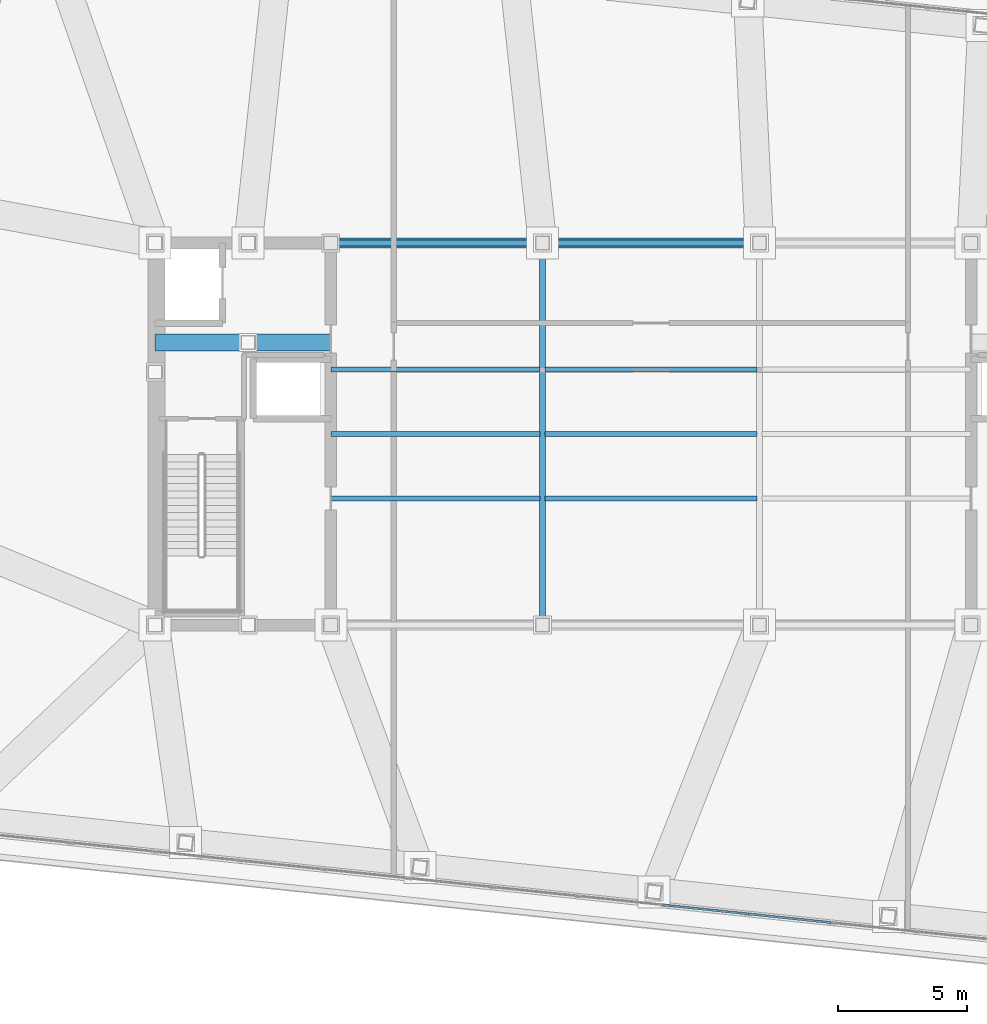
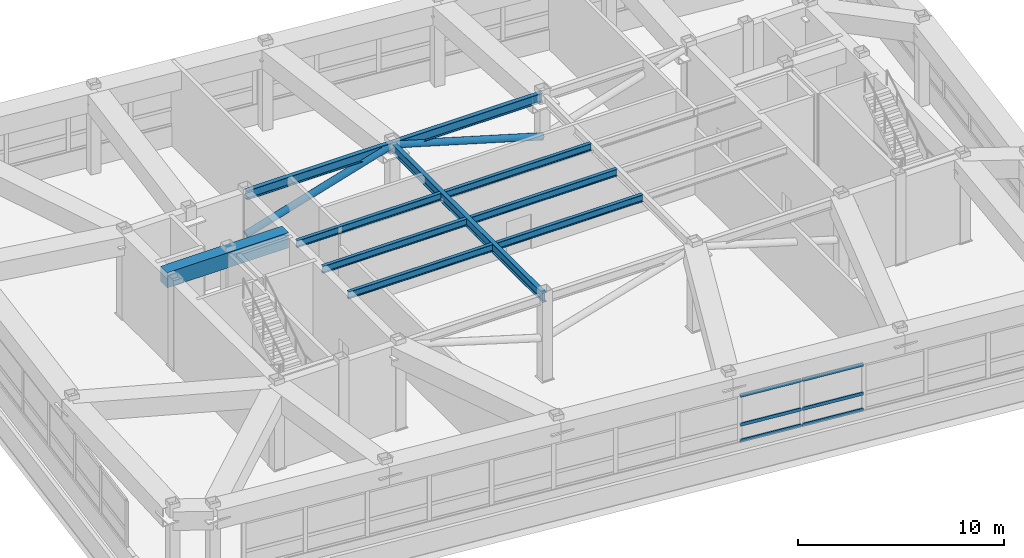
# One storey, part 6 of 22: 10 beams, 8 members, 1 element without a shape of its own.
"""IFC4 building model written with IfcOpenShell, lengths in metres."""

from ifc_helpers import new_model, si_unit, direction, frame, origin, origin_2d, place, context, subcontext, project, spatial, rectangle, hollow_rectangle, hollow_circle, i_section, extrude, material, layer, layer_set, material_profile, profile_set, type_object, element, aggregate, save


model = new_model("IFC4")

# Units and contexts
model_context = context("Model", 3, precision=1e-05, world=origin(), true_north=direction((0.0, 1.0)))
body_context = subcontext(model_context, "Body", "Model", "MODEL_VIEW")
ifc_project = project(units=[si_unit("LENGTHUNIT", "METRE"), si_unit("AREAUNIT", "SQUARE_METRE"), si_unit("VOLUMEUNIT", "CUBIC_METRE"), si_unit("PLANEANGLEUNIT", "RADIAN"), si_unit("MASSUNIT", "GRAM", prefix="KILO")], contexts=[model_context])

# Site, building, storey
site_placement = place(None, origin())
site = spatial("IfcSite", under=ifc_project, at=site_placement, CompositionType="ELEMENT")
building_placement = place(site_placement, origin())
building = spatial("IfcBuilding", under=site, at=building_placement, Name="Voryun Gate Residences", CompositionType="ELEMENT")
storey_placement = place(building_placement, frame((0.0, 0.0, 310.699951171875)))
storey = spatial("IfcBuildingStorey", under=building, at=storey_placement, Name="L77", CompositionType="ELEMENT", Elevation=310.699951171875)

# Beams
ifc_material_1 = material(Name="Concrete C60/75", Category="concrete")
ifc_material_profile_1 = material_profile(ifc_material_1, rectangle(XDim=0.64990234375, YDim=0.89990234375, at=origin_2d()), Name="RC-650x900")
ifc_profile_set_1 = profile_set([ifc_material_profile_1], Name="Concrete C60/75")
beam_type_1 = type_object("IfcBeamType", Name="BM_COUP_RC900", PredefinedType="LINTEL", material=ifc_profile_set_1)
beam_1_placement = place(storey_placement, frame((-19.199951171875, 3.550048828125, 4.574951171875), z_axis=(1.0, 0.0, 0.0), x_axis=(0.0, 1.0, 0.0)))
element("IfcBeam", 1, at=beam_1_placement, inside=storey, type_object=beam_type_1, Name="BM-L77-WC1", PredefinedType="LINTEL", context=body_context, shape_type="SweptSolid", body=[
    extrude(rectangle(XDim=0.64990234375, YDim=0.89990234375, at=origin_2d()), origin(), (0.0, 0.0, 1.0), 6.800048828125),
])
ifc_material_2 = material(Name="Steel SM355", Category="steel")
ifc_material_profile_2 = material_profile(ifc_material_2, i_section(OverallWidth=0.239990234375, OverallDepth=0.550048828125, WebThickness=0.011962890625, FlangeThickness=0.02001953125, FilletRadius=0.01806640625, at=origin_2d()), Name="H-550x240x12x20")
ifc_profile_set_2 = profile_set([ifc_material_profile_2], Name="Steel SM355")
beam_type_2 = type_object("IfcBeamType", Name="BM_GIRD_550", PredefinedType="USERDEFINED", material=ifc_profile_set_2)
beam_2_placement = place(storey_placement, frame((-12.39990234375, 7.39990234375, 4.75), z_axis=(1.0, 0.0, 0.0), x_axis=(0.0, 1.0, 0.0)))
element("IfcBeam", 2, at=beam_2_placement, inside=storey, type_object=beam_type_2, Name="BM-L77-SPG1-N", ObjectType="GIRDER", PredefinedType="USERDEFINED", context=body_context, shape_type="SweptSolid", body=[
    extrude(i_section(OverallWidth=0.239990234375, OverallDepth=0.550048828125, WebThickness=0.011962890625, FlangeThickness=0.02001953125, FilletRadius=0.01806640625, at=origin_2d()), origin(), (0.0, 0.0, 1.0), 8.199951171875),
])
beam_3_placement = place(storey_placement, frame((-4.199951171875, 7.39990234375, 4.75), z_axis=(1.0, 0.0, 0.0), x_axis=(0.0, 1.0, 0.0)))
element("IfcBeam", 3, at=beam_3_placement, inside=storey, type_object=beam_type_2, Name="BM-L77-SPG2-N", ObjectType="GIRDER", PredefinedType="USERDEFINED", context=body_context, shape_type="SweptSolid", body=[
    extrude(i_section(OverallWidth=0.239990234375, OverallDepth=0.550048828125, WebThickness=0.011962890625, FlangeThickness=0.02001953125, FilletRadius=0.01806640625, at=origin_2d()), origin(), (0.0, 0.0, 1.0), 8.39990234375),
])
beam_4_placement = place(storey_placement, frame((-4.199951171875, -7.39990234375, 4.75), z_axis=(0.0, 1.0, 0.0), x_axis=(-1.0, 0.0, 0.0)))
element("IfcBeam", 4, at=beam_4_placement, inside=storey, type_object=beam_type_2, Name="BM-L77-SPX-W", ObjectType="GIRDER", PredefinedType="USERDEFINED", context=body_context, shape_type="SweptSolid", body=[
    extrude(i_section(OverallWidth=0.239990234375, OverallDepth=0.550048828125, WebThickness=0.011962890625, FlangeThickness=0.02001953125, FilletRadius=0.01806640625, at=origin_2d()), origin(), (0.0, 0.0, 1.0), 14.7998046875),
])
ifc_material_3 = material(Name="Steel SM355", Category="steel")
ifc_material_profile_3 = material_profile(ifc_material_3, i_section(OverallWidth=0.18994140625, OverallDepth=0.419921875, WebThickness=0.009033203125, FlangeThickness=0.01611328125, FilletRadius=0.01806640625, at=origin_2d()), Name="H-420x190x9x16")
ifc_profile_set_3 = profile_set([ifc_material_profile_3], Name="Steel SM355")
beam_type_3 = type_object("IfcBeamType", Name="BM_SEC_420", PredefinedType="BEAM", material=ifc_profile_set_3)
beam_5_placement = place(storey_placement, frame((-12.39990234375, -2.5, 4.81494140625), z_axis=(1.0, 0.0, 0.0), x_axis=(0.0, 1.0, 0.0)))
element("IfcBeam", 5, at=beam_5_placement, inside=storey, type_object=beam_type_3, Name="BM-L77-SEC-CS1", PredefinedType="BEAM", context=body_context, shape_type="SweptSolid", body=[
    extrude(i_section(OverallWidth=0.18994140625, OverallDepth=0.419921875, WebThickness=0.009033203125, FlangeThickness=0.01611328125, FilletRadius=0.01806640625, at=origin_2d()), origin(), (0.0, 0.0, 1.0), 8.099853515625),
])
beam_6_placement = place(storey_placement, frame((-4.10009765625, -2.5, 4.81494140625), z_axis=(1.0, 0.0, 0.0), x_axis=(0.0, 1.0, 0.0)))
element("IfcBeam", 6, at=beam_6_placement, inside=storey, type_object=beam_type_3, Name="BM-L77-SEC-CS2", PredefinedType="BEAM", context=body_context, shape_type="SweptSolid", body=[
    extrude(i_section(OverallWidth=0.18994140625, OverallDepth=0.419921875, WebThickness=0.009033203125, FlangeThickness=0.01611328125, FilletRadius=0.01806640625, at=origin_2d()), origin(), (0.0, 0.0, 1.0), 8.2001953125),
])
beam_7_placement = place(storey_placement, frame((-12.39990234375, 0.0, 4.81494140625), z_axis=(1.0, 0.0, 0.0), x_axis=(0.0, 1.0, 0.0)))
element("IfcBeam", 7, at=beam_7_placement, inside=storey, type_object=beam_type_3, Name="BM-L77-SEC-CM1", PredefinedType="BEAM", context=body_context, shape_type="SweptSolid", body=[
    extrude(i_section(OverallWidth=0.18994140625, OverallDepth=0.419921875, WebThickness=0.009033203125, FlangeThickness=0.01611328125, FilletRadius=0.01806640625, at=origin_2d()), origin(), (0.0, 0.0, 1.0), 8.099853515625),
])
beam_8_placement = place(storey_placement, frame((-4.10009765625, 0.0, 4.81494140625), z_axis=(1.0, 0.0, 0.0), x_axis=(0.0, 1.0, 0.0)))
element("IfcBeam", 8, at=beam_8_placement, inside=storey, type_object=beam_type_3, Name="BM-L77-SEC-CM2", PredefinedType="BEAM", context=body_context, shape_type="SweptSolid", body=[
    extrude(i_section(OverallWidth=0.18994140625, OverallDepth=0.419921875, WebThickness=0.009033203125, FlangeThickness=0.01611328125, FilletRadius=0.01806640625, at=origin_2d()), origin(), (0.0, 0.0, 1.0), 8.2001953125),
])
beam_9_placement = place(storey_placement, frame((-12.39990234375, 2.5, 4.81494140625), z_axis=(1.0, 0.0, 0.0), x_axis=(0.0, 1.0, 0.0)))
element("IfcBeam", 9, at=beam_9_placement, inside=storey, type_object=beam_type_3, Name="BM-L77-SEC-CN1", PredefinedType="BEAM", context=body_context, shape_type="SweptSolid", body=[
    extrude(i_section(OverallWidth=0.18994140625, OverallDepth=0.419921875, WebThickness=0.009033203125, FlangeThickness=0.01611328125, FilletRadius=0.01806640625, at=origin_2d()), origin(), (0.0, 0.0, 1.0), 8.099853515625),
])
beam_10_placement = place(storey_placement, frame((-4.10009765625, 2.5, 4.81494140625), z_axis=(1.0, 0.0, 0.0), x_axis=(0.0, 1.0, 0.0)))
element("IfcBeam", 10, at=beam_10_placement, inside=storey, type_object=beam_type_3, Name="BM-L77-SEC-CN2", PredefinedType="BEAM", context=body_context, shape_type="SweptSolid", body=[
    extrude(i_section(OverallWidth=0.18994140625, OverallDepth=0.419921875, WebThickness=0.009033203125, FlangeThickness=0.01611328125, FilletRadius=0.01806640625, at=origin_2d()), origin(), (0.0, 0.0, 1.0), 8.2001953125),
])

# Curtain wall, members
ifc_material_4 = material(Name="Anodised aluminium", Category="aluminium")
ifc_layer = layer(ifc_material_4, 0.22998046875, Name="CW_SYS_LANTERN_DARK_GLASS")
ifc_layer_set = layer_set([ifc_layer], Name="Anodised aluminium")
curtain_wall_type = type_object("IfcCurtainWallType", Name="CW_SYS_LANTERN_DARK_GLASS", PredefinedType="NOTDEFINED", material=ifc_layer_set)
curtain_wall_placement = place(storey_placement, origin())
curtain_wall = element("IfcCurtainWall", 11, at=curtain_wall_placement, inside=storey, type_object=curtain_wall_type, Name="Curtain wall CW6-L77-01", PredefinedType="NOTDEFINED")
ifc_material_5 = material(Name="Anodised aluminium", Category="aluminium")
ifc_material_profile_4 = material_profile(ifc_material_5, hollow_rectangle(XDim=0.0849609375, YDim=0.18994140625, WallThickness=0.006103515625, at=origin_2d()), Name="ALU-TRAN-190x85x6")
ifc_profile_set_4 = profile_set([ifc_material_profile_4], Name="Anodised aluminium")
member_type_1 = type_object("IfcMemberType", Name="CW_TRAN_LANT", PredefinedType="USERDEFINED", material=ifc_profile_set_4)
member_1_placement = place(storey_placement, frame((6.9755859375, -18.924560546875, 1.219970703125), z_axis=(-0.994520745033, 0.104539407398, 0.0), x_axis=(-0.104539407398, -0.994520745033, 0.0)))
member_1 = element("IfcMember", 12, at=member_1_placement, type_object=member_type_1, Name="CW6 transom 4.1", ObjectType="TRANSOM", PredefinedType="USERDEFINED", context=body_context, shape_type="SweptSolid", body=[
    extrude(hollow_rectangle(XDim=0.0849609375, YDim=0.18994140625, WallThickness=0.006103515625, at=origin_2d()), origin(), (0.0, 0.0, 1.0), 3.234619140625),
])
member_2_placement = place(storey_placement, frame((6.9755859375, -18.924560546875, 2.171142578125), z_axis=(-0.994520745033, 0.104539407398, 0.0), x_axis=(-0.104539407398, -0.994520745033, 0.0)))
member_2 = element("IfcMember", 13, at=member_2_placement, type_object=member_type_1, Name="CW6 transom 4.2", ObjectType="TRANSOM", PredefinedType="USERDEFINED", context=body_context, shape_type="SweptSolid", body=[
    extrude(hollow_rectangle(XDim=0.0849609375, YDim=0.18994140625, WallThickness=0.006103515625, at=origin_2d()), origin(), (0.0, 0.0, 1.0), 3.234619140625),
])
member_3_placement = place(storey_placement, frame((6.9755859375, -18.924560546875, 3.885009765625), z_axis=(-0.994520745033, 0.104539407398, 0.0), x_axis=(-0.104539407398, -0.994520745033, 0.0)))
member_3 = element("IfcMember", 14, at=member_3_placement, type_object=member_type_1, Name="CW6 transom 4.3", ObjectType="TRANSOM", PredefinedType="USERDEFINED", context=body_context, shape_type="SweptSolid", body=[
    extrude(hollow_rectangle(XDim=0.0849609375, YDim=0.18994140625, WallThickness=0.006103515625, at=origin_2d()), origin(), (0.0, 0.0, 1.0), 3.234619140625),
])
member_4_placement = place(storey_placement, frame((3.698974609375, -18.580322265625, 1.219970703125), z_axis=(-0.994520745033, 0.104539407398, 0.0), x_axis=(-0.104539407398, -0.994520745033, 0.0)))
member_4 = element("IfcMember", 15, at=member_4_placement, type_object=member_type_1, Name="CW6 transom 5.1", ObjectType="TRANSOM", PredefinedType="USERDEFINED", context=body_context, shape_type="SweptSolid", body=[
    extrude(hollow_rectangle(XDim=0.0849609375, YDim=0.18994140625, WallThickness=0.006103515625, at=origin_2d()), origin(), (0.0, 0.0, 1.0), 3.234619140625),
])
member_5_placement = place(storey_placement, frame((3.698974609375, -18.580322265625, 2.171142578125), z_axis=(-0.994520745033, 0.104539407398, 0.0), x_axis=(-0.104539407398, -0.994520745033, 0.0)))
member_5 = element("IfcMember", 16, at=member_5_placement, type_object=member_type_1, Name="CW6 transom 5.2", ObjectType="TRANSOM", PredefinedType="USERDEFINED", context=body_context, shape_type="SweptSolid", body=[
    extrude(hollow_rectangle(XDim=0.0849609375, YDim=0.18994140625, WallThickness=0.006103515625, at=origin_2d()), origin(), (0.0, 0.0, 1.0), 3.234619140625),
])
member_6_placement = place(storey_placement, frame((3.698974609375, -18.580322265625, 3.885009765625), z_axis=(-0.994520745033, 0.104539407398, 0.0), x_axis=(-0.104539407398, -0.994520745033, 0.0)))
member_6 = element("IfcMember", 17, at=member_6_placement, type_object=member_type_1, Name="CW6 transom 5.3", ObjectType="TRANSOM", PredefinedType="USERDEFINED", context=body_context, shape_type="SweptSolid", body=[
    extrude(hollow_rectangle(XDim=0.0849609375, YDim=0.18994140625, WallThickness=0.006103515625, at=origin_2d()), origin(), (0.0, 0.0, 1.0), 3.234619140625),
])
aggregate(curtain_wall, [member_1, member_2, member_3, member_4, member_5, member_6])

# Members
ifc_material_6 = material(Name="Steel SM355", Category="steel")
ifc_material_profile_5 = material_profile(ifc_material_6, hollow_circle(Radius=0.18994140625, WallThickness=0.01806640625, at=origin_2d()), Name="CHS-380x18")
ifc_profile_set_5 = profile_set([ifc_material_profile_5], Name="Steel SM355")
member_type_2 = type_object("IfcMemberType", Name="MBR_CROWN_DIAGRID", PredefinedType="BRACE", material=ifc_profile_set_5)
member_7_placement = place(storey_placement, frame((-12.39990234375, 7.39990234375, 2.380126953125), z_axis=(0.957669975605, 0.0, 0.287868403659), x_axis=(0.0, 1.0, 0.0)))
element("IfcMember", 18, at=member_7_placement, inside=storey, type_object=member_type_2, Name="L77 Lantern Spine Diagrid Brace 04", PredefinedType="BRACE", context=body_context, shape_type="SweptSolid", body=[
    extrude(hollow_circle(Radius=0.18994140625, WallThickness=0.01806640625, at=origin_2d()), origin(), (0.0, 0.0, 1.0), 8.5625),
])
member_8_placement = place(storey_placement, frame((4.199951171875, 7.39990234375, 2.380126953125), z_axis=(-0.95954206085, 0.0, 0.281565327162), x_axis=(0.0, -1.0, 0.0)))
element("IfcMember", 19, at=member_8_placement, inside=storey, type_object=member_type_2, Name="L77 Lantern Spine Diagrid Brace 05", PredefinedType="BRACE", context=body_context, shape_type="SweptSolid", body=[
    extrude(hollow_circle(Radius=0.18994140625, WallThickness=0.01806640625, at=origin_2d()), origin(), (0.0, 0.0, 1.0), 8.754150390625),
])

save(model, "model.ifc")
